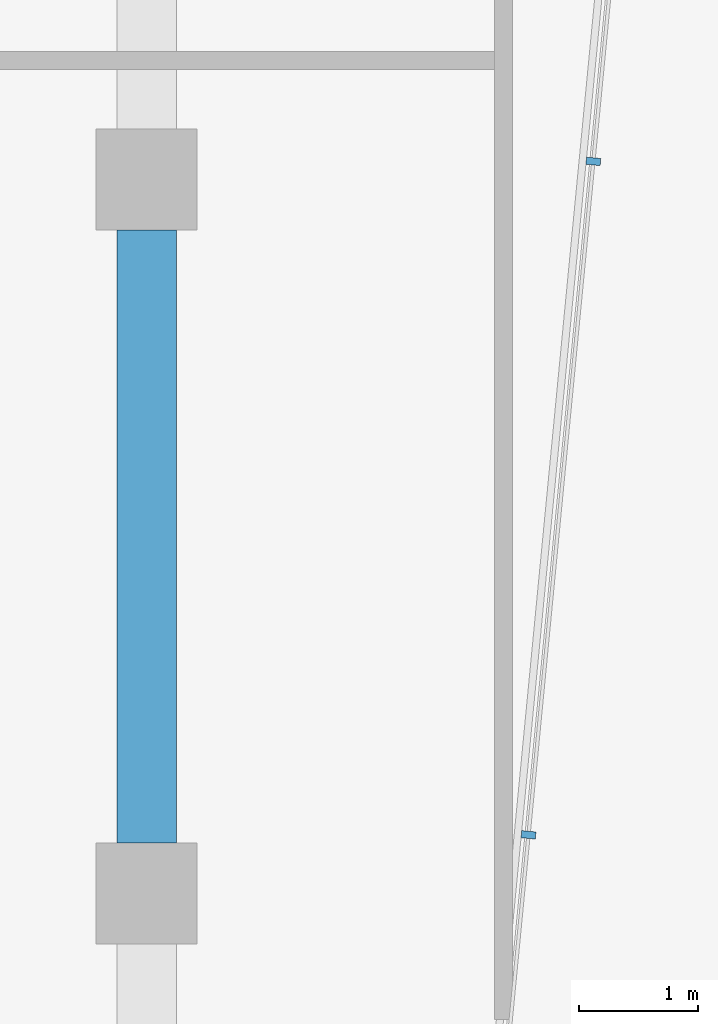
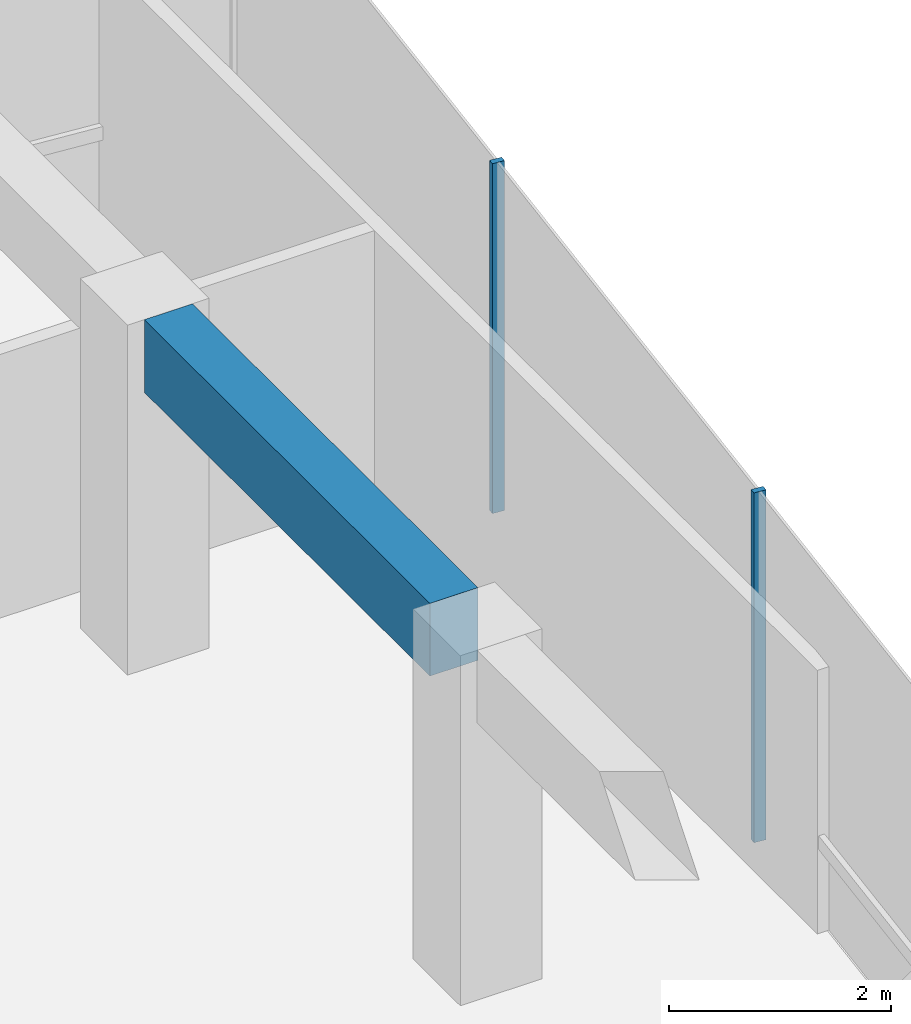
# One storey, part 15 of 25: 2 members, 1 beam, 1 element without a shape of its own.
"""IFC4 building model written with IfcOpenShell, lengths in metres."""

from ifc_helpers import new_model, si_unit, direction, frame, origin, origin_2d, place, context, subcontext, project, spatial, rectangle, extrude, material, layer, layer_set, material_profile, profile_set, type_object, element, aggregate, save


model = new_model("IFC4")

# Units and contexts
model_context = context("Model", 3, precision=1e-05, world=origin(), true_north=direction((0.0, 1.0)))
body_context = subcontext(model_context, "Body", "Model", "MODEL_VIEW")
ifc_project = project(units=[si_unit("LENGTHUNIT", "METRE"), si_unit("AREAUNIT", "SQUARE_METRE"), si_unit("VOLUMEUNIT", "CUBIC_METRE"), si_unit("PLANEANGLEUNIT", "RADIAN"), si_unit("MASSUNIT", "GRAM", prefix="KILO")], contexts=[model_context])

# Site, building, storey
site_placement = place(None, origin())
site = spatial("IfcSite", under=ifc_project, at=site_placement, CompositionType="ELEMENT")
building_placement = place(site_placement, origin())
building = spatial("IfcBuilding", under=site, at=building_placement, Name="Welwitschia Terrace Campus", CompositionType="ELEMENT")
storey_placement = place(building_placement, frame((0.0, 0.0, 264.199951171875)))
storey = spatial("IfcBuildingStorey", under=building, at=storey_placement, Name="L58", CompositionType="ELEMENT", Elevation=264.199951171875)

# Curtain wall, members
ifc_material_1 = material(Name="Bronze anodised aluminium", Category="aluminium")
ifc_layer = layer(ifc_material_1, 0.1201171875)
ifc_layer_set = layer_set([ifc_layer], Name="Bronze anodised aluminium")
curtain_wall_type = type_object("IfcCurtainWallType", Name="Curtain wall CW2 tower 6000", PredefinedType="NOTDEFINED", material=ifc_layer_set)
curtain_wall_placement = place(storey_placement, origin())
curtain_wall = element("IfcCurtainWall", 1, at=curtain_wall_placement, inside=storey, type_object=curtain_wall_type, Name="CW L58.10.0", PredefinedType="NOTDEFINED")
ifc_material_2 = material(Name="Bronze anodised aluminium", Category="aluminium")
ifc_material_profile_1 = material_profile(ifc_material_2, rectangle(XDim=0.1201171875, YDim=0.06005859375, at=origin_2d()))
ifc_profile_set_1 = profile_set([ifc_material_profile_1], Name="Bronze anodised aluminium")
member_type = type_object("IfcMemberType", Name="Mullion 60x120", PredefinedType="MULLION", material=ifc_profile_set_1)
member_1_placement = place(storey_placement, frame((27.20947265625, 50.492919921875, 0.0), z_axis=(0.0, 0.0, 1.0), x_axis=(-0.995396198367, 0.09584575252, 0.0)))
member_1 = element("IfcMember", 2, at=member_1_placement, type_object=member_type, Name="Mullion L58.10.0.4", PredefinedType="MULLION", context=body_context, shape_type="SweptSolid", body=[
    extrude(rectangle(XDim=0.1201171875, YDim=0.06005859375, at=origin_2d()), origin(), (0.0, 0.0, 1.0), 3.85009765625),
])
member_2_placement = place(storey_placement, frame((27.75439453125, 56.15185546875, 0.0), z_axis=(0.0, 0.0, 1.0), x_axis=(-0.995396198367, 0.09584575252, 0.0)))
member_2 = element("IfcMember", 3, at=member_2_placement, type_object=member_type, Name="Mullion L58.10.0.5", PredefinedType="MULLION", context=body_context, shape_type="SweptSolid", body=[
    extrude(rectangle(XDim=0.1201171875, YDim=0.06005859375, at=origin_2d()), origin(), (0.0, 0.0, 1.0), 3.85009765625),
])
aggregate(curtain_wall, [member_1, member_2])

# Beam
ifc_material_3 = material(Name="Concrete C50/60", Category="concrete")
ifc_material_profile_2 = material_profile(ifc_material_3, rectangle(XDim=0.5, YDim=0.800048828125, at=origin_2d()))
ifc_profile_set_2 = profile_set([ifc_material_profile_2], Name="Concrete C50/60")
beam_type = type_object("IfcBeamType", Name="Ring spandrel 500x800", PredefinedType="SPANDREL", material=ifc_profile_set_2)
beam_placement = place(storey_placement, frame((24.0, 50.425537109375, 3.449951171875), z_axis=(0.0, 1.0, 0.0), x_axis=(-1.0, 0.0, 0.0)))
element("IfcBeam", 4, at=beam_placement, inside=storey, type_object=beam_type, Name="Spandrel SP4", PredefinedType="SPANDREL", context=body_context, shape_type="SweptSolid", body=[
    extrude(rectangle(XDim=0.5, YDim=0.800048828125, at=origin_2d()), origin(), (0.0, 0.0, 1.0), 5.14892578125),
])

save(model, "model.ifc")
